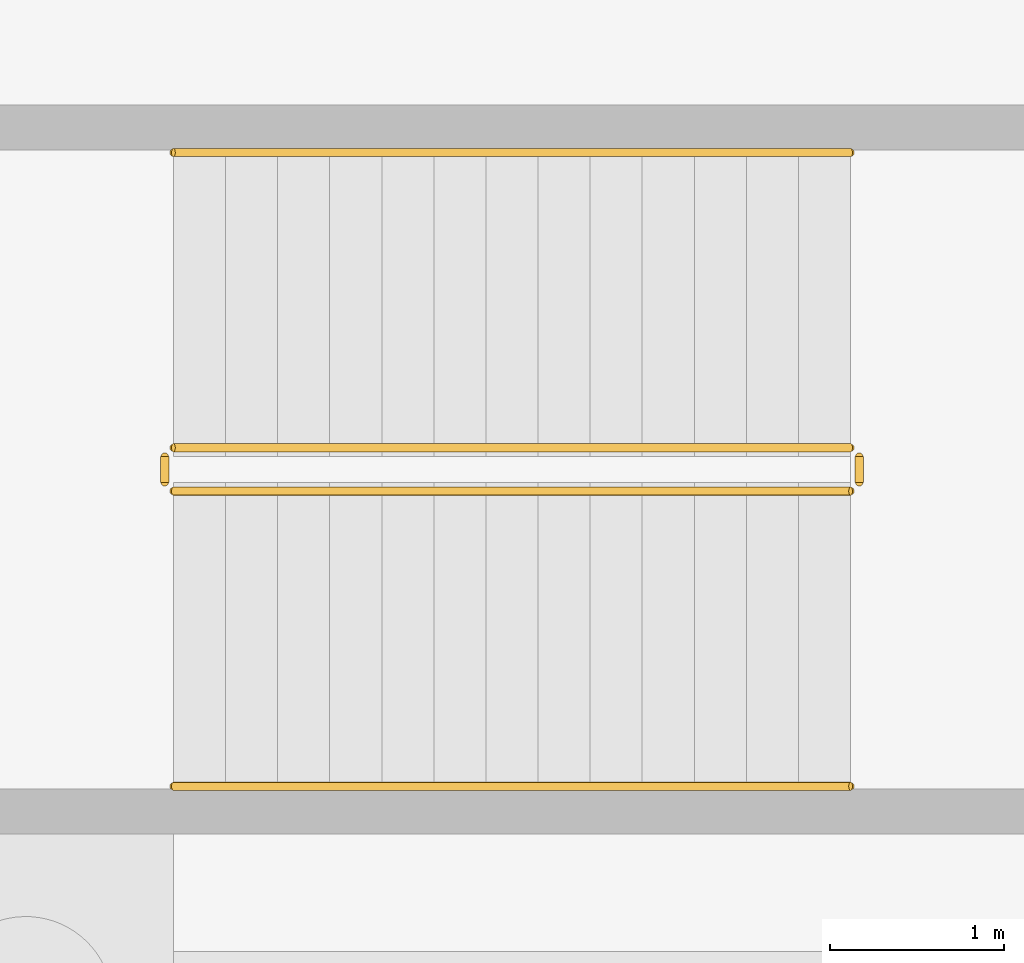
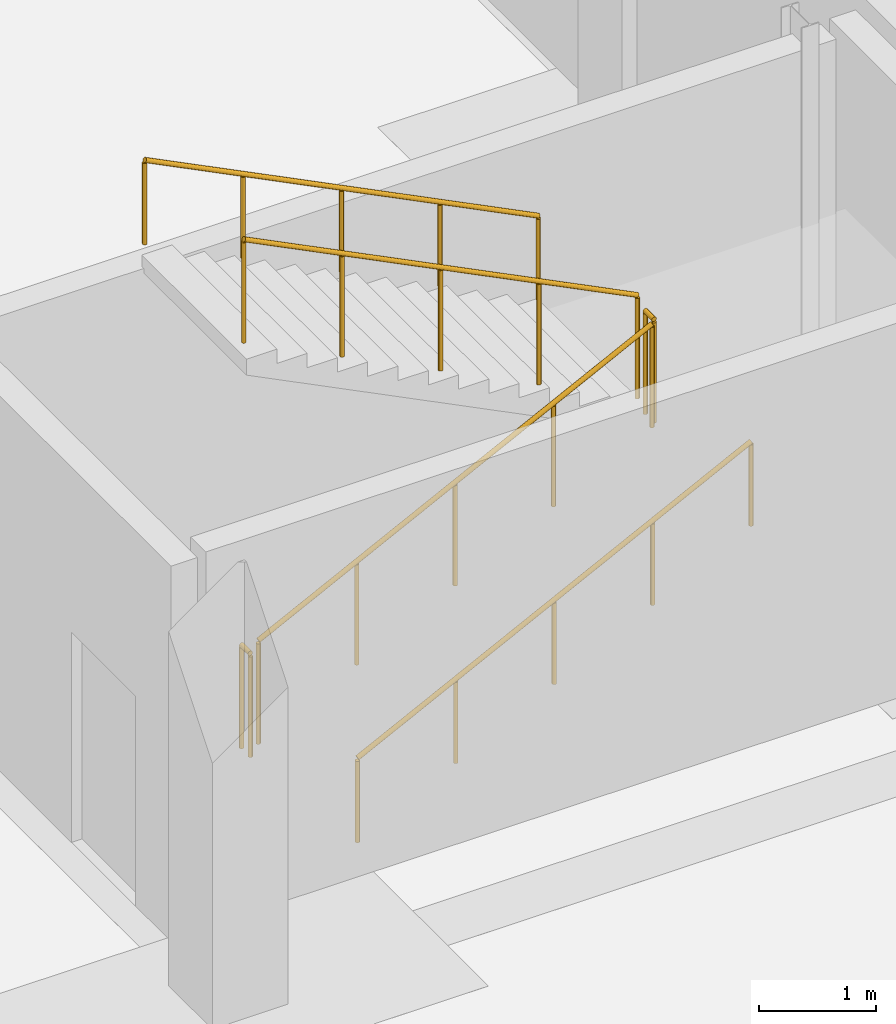
# One storey, part 52 of 54: 6 railings.
"""IFC4 building model written with IfcOpenShell, lengths in metres."""

from ifc_helpers import new_model, si_unit, direction, frame, origin, origin_2d, place, context, subcontext, project, spatial, circle, extrude, material, type_object, element, save


model = new_model("IFC4")

# Units and contexts
model_context = context("Model", 3, precision=1e-05, world=origin(), true_north=direction((0.0, 1.0)))
body_context = subcontext(model_context, "Body", "Model", "MODEL_VIEW")
ifc_project = project(units=[si_unit("LENGTHUNIT", "METRE"), si_unit("AREAUNIT", "SQUARE_METRE"), si_unit("VOLUMEUNIT", "CUBIC_METRE"), si_unit("PLANEANGLEUNIT", "RADIAN"), si_unit("MASSUNIT", "GRAM", prefix="KILO")], contexts=[model_context])

# Site, building, storey
site_placement = place(None, origin())
site = spatial("IfcSite", under=ifc_project, at=site_placement, CompositionType="ELEMENT")
building_placement = place(site_placement, origin())
building = spatial("IfcBuilding", under=site, at=building_placement, Name="Zevrakil Square Congress Hotel", CompositionType="ELEMENT")
storey_placement = place(building_placement, frame((0.0, 0.0, -8.39990234375)))
storey = spatial("IfcBuildingStorey", under=building, at=storey_placement, Name="B2", CompositionType="ELEMENT", Elevation=-8.39990234375)

# Railings
ifc_material_1 = material(Name="Steel S355", Category="steel")
railing_type_1 = type_object("IfcRailingType", Name="RLG-STAIR-GUARD-1100", PredefinedType="BALUSTRADE", material=ifc_material_1)
railing_1_placement = place(storey_placement, frame((110.0, 86.949951171875, 0.14990234375)))
element("IfcRailing", 1, at=railing_1_placement, inside=storey, type_object=railing_type_1, Name="B2 ST06 stair guard 1", PredefinedType="BALUSTRADE", context=body_context, shape_type="SweptSolid", body=[
    extrude(circle(Radius=0.02392578125, at=origin_2d()), frame((0.0, 0.0, 1.076171875), z_axis=(0.894427191, 0.0, 0.4472135955), x_axis=(0.0, 1.0, 0.0)), (0.0, 0.0, 1.0), 4.360107421875),
    extrude(circle(Radius=0.02099609375, at=origin_2d()), origin(), (0.0, 0.0, 1.0), 1.052001953125),
    extrude(circle(Radius=0.02099609375, at=origin_2d()), frame((0.97509765625, 0.0, 0.487548828125)), (0.0, 0.0, 1.0), 1.052001953125),
    extrude(circle(Radius=0.02099609375, at=origin_2d()), frame((1.949951171875, 0.0, 0.97509765625)), (0.0, 0.0, 1.0), 1.052001953125),
    extrude(circle(Radius=0.02099609375, at=origin_2d()), frame((2.9248046875, 0.0, 1.46240234375)), (0.0, 0.0, 1.0), 1.052001953125),
    extrude(circle(Radius=0.02099609375, at=origin_2d()), frame((3.89990234375, 0.0, 1.949951171875)), (0.0, 0.0, 1.0), 1.052001953125),
])
railing_2_placement = place(storey_placement, frame((113.949951171875, 87.0, 2.099853515625)))
element("IfcRailing", 2, at=railing_2_placement, inside=storey, type_object=railing_type_1, Name="B2 ST06 stair guard 2", PredefinedType="BALUSTRADE", context=body_context, shape_type="SweptSolid", body=[
    extrude(circle(Radius=0.02392578125, at=origin_2d()), frame((0.0, 0.0, 1.076171875), z_axis=(0.0, 1.0, 0.0), x_axis=(-1.0, 0.0, 0.0)), (0.0, 0.0, 1.0), 0.14990234375),
    extrude(circle(Radius=0.02099609375, at=origin_2d()), origin(), (0.0, 0.0, 1.0), 1.052001953125),
    extrude(circle(Radius=0.02099609375, at=origin_2d()), frame((0.0, 0.14990234375, 0.0)), (0.0, 0.0, 1.0), 1.052001953125),
])
railing_3_placement = place(storey_placement, frame((113.89990234375, 87.199951171875, 2.25)))
element("IfcRailing", 3, at=railing_3_placement, inside=storey, type_object=railing_type_1, Name="B2 ST06 stair guard 3", PredefinedType="BALUSTRADE", context=body_context, shape_type="SweptSolid", body=[
    extrude(circle(Radius=0.02392578125, at=origin_2d()), frame((0.0, 0.0, 1.076171875), z_axis=(-0.894427191, 0.0, 0.4472135955), x_axis=(0.0, -1.0, 0.0)), (0.0, 0.0, 1.0), 4.360107421875),
    extrude(circle(Radius=0.02099609375, at=origin_2d()), origin(), (0.0, 0.0, 1.0), 1.052001953125),
    extrude(circle(Radius=0.02099609375, at=origin_2d()), frame((-0.97509765625, 0.0, 0.487548828125)), (0.0, 0.0, 1.0), 1.052001953125),
    extrude(circle(Radius=0.02099609375, at=origin_2d()), frame((-1.949951171875, 0.0, 0.97509765625)), (0.0, 0.0, 1.0), 1.052001953125),
    extrude(circle(Radius=0.02099609375, at=origin_2d()), frame((-2.9248046875, 0.0, 1.46240234375)), (0.0, 0.0, 1.0), 1.052001953125),
    extrude(circle(Radius=0.02099609375, at=origin_2d()), frame((-3.89990234375, 0.0, 1.949951171875)), (0.0, 0.0, 1.0), 1.052001953125),
])
railing_4_placement = place(storey_placement, frame((109.949951171875, 87.0, 0.0)))
element("IfcRailing", 4, at=railing_4_placement, inside=storey, type_object=railing_type_1, Name="B2 ST06 stair guard 4", PredefinedType="BALUSTRADE", context=body_context, shape_type="SweptSolid", body=[
    extrude(circle(Radius=0.02392578125, at=origin_2d()), frame((0.0, 0.0, 1.076171875), z_axis=(0.0, 1.0, 0.0), x_axis=(-1.0, 0.0, 0.0)), (0.0, 0.0, 1.0), 0.14990234375),
    extrude(circle(Radius=0.02099609375, at=origin_2d()), origin(), (0.0, 0.0, 1.0), 1.052001953125),
    extrude(circle(Radius=0.02099609375, at=origin_2d()), frame((0.0, 0.14990234375, 0.0)), (0.0, 0.0, 1.0), 1.052001953125),
])
ifc_material_2 = material(Name="Steel S355", Category="steel")
railing_type_2 = type_object("IfcRailingType", Name="RLG-STAIR-HAND-900", PredefinedType="HANDRAIL", material=ifc_material_2)
railing_5_placement = place(storey_placement, frame((110.0, 85.25, 0.14990234375)))
element("IfcRailing", 5, at=railing_5_placement, inside=storey, type_object=railing_type_2, Name="B2 ST06 stair handrail 1", PredefinedType="HANDRAIL", context=body_context, shape_type="SweptSolid", body=[
    extrude(circle(Radius=0.02392578125, at=origin_2d()), frame((0.0, 0.0, 0.8759765625), z_axis=(0.894427191, 0.0, 0.4472135955), x_axis=(0.0, 1.0, 0.0)), (0.0, 0.0, 1.0), 4.360107421875),
    extrude(circle(Radius=0.02099609375, at=origin_2d()), origin(), (0.0, 0.0, 1.0), 0.851806640625),
    extrude(circle(Radius=0.02099609375, at=origin_2d()), frame((0.97509765625, 0.0, 0.487548828125)), (0.0, 0.0, 1.0), 0.851806640625),
    extrude(circle(Radius=0.02099609375, at=origin_2d()), frame((1.949951171875, 0.0, 0.97509765625)), (0.0, 0.0, 1.0), 0.851806640625),
    extrude(circle(Radius=0.02099609375, at=origin_2d()), frame((2.9248046875, 0.0, 1.46240234375)), (0.0, 0.0, 1.0), 0.851806640625),
    extrude(circle(Radius=0.02099609375, at=origin_2d()), frame((3.89990234375, 0.0, 1.949951171875)), (0.0, 0.0, 1.0), 0.851806640625),
])
railing_6_placement = place(storey_placement, frame((113.89990234375, 88.89990234375, 2.25)))
element("IfcRailing", 6, at=railing_6_placement, inside=storey, type_object=railing_type_2, Name="B2 ST06 stair handrail 2", PredefinedType="HANDRAIL", context=body_context, shape_type="SweptSolid", body=[
    extrude(circle(Radius=0.02392578125, at=origin_2d()), frame((0.0, 0.0, 0.8759765625), z_axis=(-0.894427191, 0.0, 0.4472135955), x_axis=(0.0, -1.0, 0.0)), (0.0, 0.0, 1.0), 4.360107421875),
    extrude(circle(Radius=0.02099609375, at=origin_2d()), origin(), (0.0, 0.0, 1.0), 0.851806640625),
    extrude(circle(Radius=0.02099609375, at=origin_2d()), frame((-0.97509765625, 0.0, 0.487548828125)), (0.0, 0.0, 1.0), 0.851806640625),
    extrude(circle(Radius=0.02099609375, at=origin_2d()), frame((-1.949951171875, 0.0, 0.97509765625)), (0.0, 0.0, 1.0), 0.851806640625),
    extrude(circle(Radius=0.02099609375, at=origin_2d()), frame((-2.9248046875, 0.0, 1.46240234375)), (0.0, 0.0, 1.0), 0.851806640625),
    extrude(circle(Radius=0.02099609375, at=origin_2d()), frame((-3.89990234375, 0.0, 1.949951171875)), (0.0, 0.0, 1.0), 0.851806640625),
])

save(model, "model.ifc")
